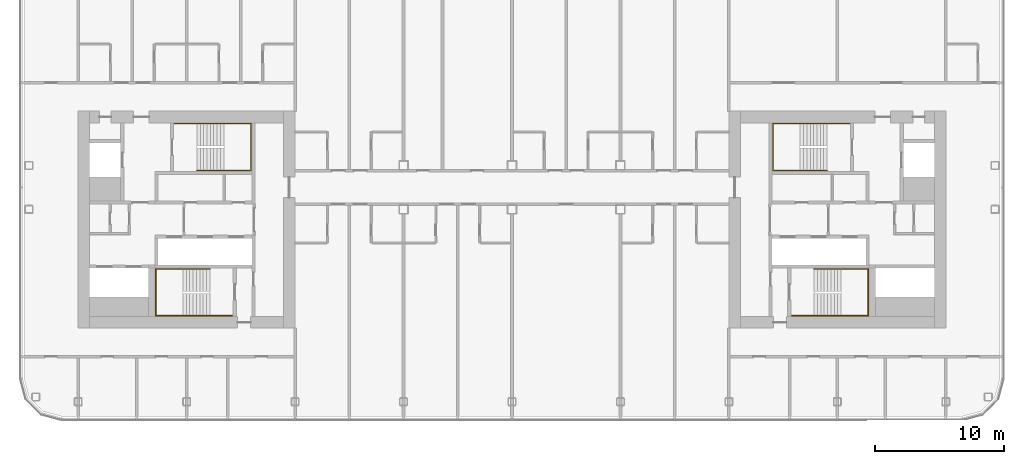
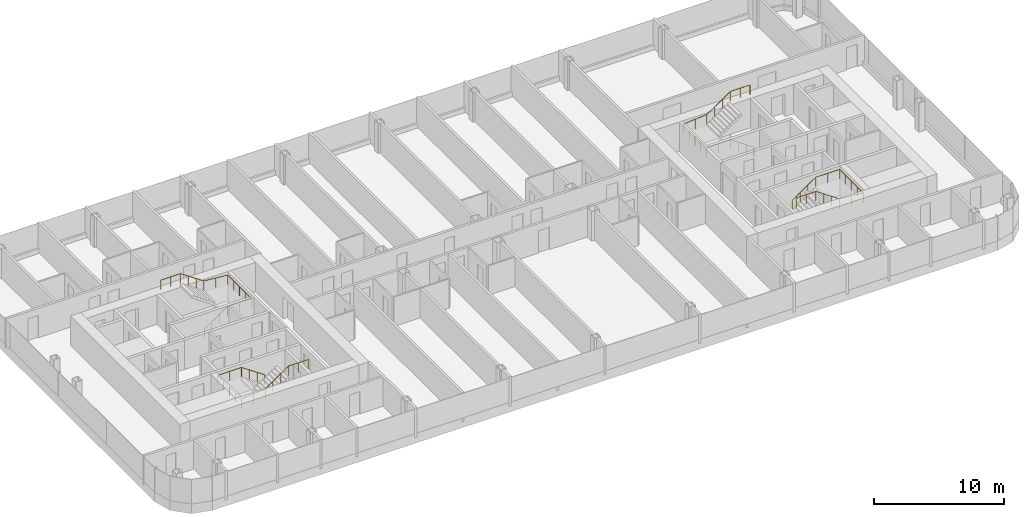
# One storey, part 26 of 26: 4 railings.
"""IFC4 building model written with IfcOpenShell, lengths in metres."""

from ifc_helpers import new_model, si_unit, direction, frame, origin, origin_2d, place, context, subcontext, project, spatial, circle, extrude, material, type_object, element, save


model = new_model("IFC4")

# Units and contexts
model_context = context("Model", 3, precision=1e-05, world=origin(), true_north=direction((0.0, 1.0)))
body_context = subcontext(model_context, "Body", "Model", "MODEL_VIEW")
ifc_project = project(units=[si_unit("LENGTHUNIT", "METRE"), si_unit("AREAUNIT", "SQUARE_METRE"), si_unit("VOLUMEUNIT", "CUBIC_METRE"), si_unit("PLANEANGLEUNIT", "RADIAN"), si_unit("MASSUNIT", "GRAM", prefix="KILO")], contexts=[model_context])

# Site, building, storey
site_placement = place(None, origin())
site = spatial("IfcSite", under=ifc_project, at=site_placement, CompositionType="ELEMENT")
building_placement = place(site_placement, origin())
building = spatial("IfcBuilding", under=site, at=building_placement, Name="Hakoniwa Tower and Hamabe Station Hall", CompositionType="ELEMENT")
storey_placement = place(building_placement, frame((0.0, 0.0, 221.800048828125)))
storey = spatial("IfcBuildingStorey", under=building, at=storey_placement, Name="L63", CompositionType="ELEMENT", Elevation=221.800048828125)

# Railings
ifc_material = material(Name="Stainless steel SUS304", Category="steel")
railing_type = type_object("IfcRailingType", Name="STAIR HANDRAIL 900", PredefinedType="HANDRAIL", material=ifc_material)
railing_1_placement = place(storey_placement, frame((-24.39990234375, 3.81005859375, 0.177734375)))
element("IfcRailing", 1, at=railing_1_placement, inside=storey, type_object=railing_type, Name="Handrail ST-1 L63 1", PredefinedType="HANDRAIL", context=body_context, shape_type="SweptSolid", body=[
    extrude(circle(Radius=0.02392578125, at=origin_2d()), frame((0.0, 0.0, 0.8759765625), z_axis=(0.825478349766, 0.0, 0.564433781827), x_axis=(0.0, 1.0, 0.0)), (0.0, 0.0, 1.0), 2.51953125),
    extrude(circle(Radius=0.02392578125, at=origin_2d()), frame((2.079833984375, 0.0, 2.2978515625), z_axis=(1.0, 0.0, 0.0), x_axis=(0.0, 1.0, 0.0)), (0.0, 0.0, 1.0), 2.110107421875),
    extrude(circle(Radius=0.02392578125, at=origin_2d()), frame((4.18994140625, 0.0, 2.2978515625), z_axis=(0.0, 1.0, 0.0), x_axis=(-1.0, 0.0, 0.0)), (0.0, 0.0, 1.0), 3.6298828125),
    extrude(circle(Radius=0.02392578125, at=origin_2d()), frame((4.18994140625, 3.6298828125, 2.2978515625), z_axis=(-0.996461767938, 0.0, 0.084047278587), x_axis=(0.0, -1.0, 0.0)), (0.0, 0.0, 1.0), 2.11767578125),
    extrude(circle(Radius=0.02392578125, at=origin_2d()), frame((2.079833984375, 3.6298828125, 2.47607421875), z_axis=(-0.825478349766, 0.0, 0.564433781827), x_axis=(0.0, -1.0, 0.0)), (0.0, 0.0, 1.0), 2.51953125),
    extrude(circle(Radius=0.02392578125, at=origin_2d()), frame((0.0, 3.6298828125, 3.89794921875), z_axis=(-1.0, 0.0, 0.0), x_axis=(0.0, -1.0, 0.0)), (0.0, 0.0, 1.0), 1.739990234375),
    extrude(circle(Radius=0.02099609375, at=origin_2d()), origin(), (0.0, 0.0, 1.0), 0.851806640625),
    extrude(circle(Radius=0.02099609375, at=origin_2d()), frame((0.693359375, 0.0, 0.47412109375)), (0.0, 0.0, 1.0), 0.851806640625),
    extrude(circle(Radius=0.02099609375, at=origin_2d()), frame((1.386474609375, 0.0, 0.947998046875)), (0.0, 0.0, 1.0), 0.851806640625),
    extrude(circle(Radius=0.02099609375, at=origin_2d()), frame((2.079833984375, 0.0, 1.422119140625)), (0.0, 0.0, 1.0), 0.851806640625),
    extrude(circle(Radius=0.02099609375, at=origin_2d()), frame((3.134765625, 0.0, 1.422119140625)), (0.0, 0.0, 1.0), 0.851806640625),
    extrude(circle(Radius=0.02099609375, at=origin_2d()), frame((4.18994140625, 0.0, 1.422119140625)), (0.0, 0.0, 1.0), 0.851806640625),
    extrude(circle(Radius=0.02099609375, at=origin_2d()), frame((4.18994140625, 0.907470703125, 1.422119140625)), (0.0, 0.0, 1.0), 0.851806640625),
    extrude(circle(Radius=0.02099609375, at=origin_2d()), frame((4.18994140625, 1.81494140625, 1.422119140625)), (0.0, 0.0, 1.0), 0.851806640625),
    extrude(circle(Radius=0.02099609375, at=origin_2d()), frame((4.18994140625, 2.722412109375, 1.422119140625)), (0.0, 0.0, 1.0), 0.851806640625),
    extrude(circle(Radius=0.02099609375, at=origin_2d()), frame((4.18994140625, 3.6298828125, 1.422119140625)), (0.0, 0.0, 1.0), 0.851806640625),
    extrude(circle(Radius=0.02099609375, at=origin_2d()), frame((3.134765625, 3.6298828125, 1.51123046875)), (0.0, 0.0, 1.0), 0.851806640625),
    extrude(circle(Radius=0.02099609375, at=origin_2d()), frame((2.079833984375, 3.6298828125, 1.60009765625)), (0.0, 0.0, 1.0), 0.851806640625),
    extrude(circle(Radius=0.02099609375, at=origin_2d()), frame((1.386474609375, 3.6298828125, 2.07421875)), (0.0, 0.0, 1.0), 0.851806640625),
    extrude(circle(Radius=0.02099609375, at=origin_2d()), frame((0.693359375, 3.6298828125, 2.548095703125)), (0.0, 0.0, 1.0), 0.851806640625),
    extrude(circle(Radius=0.02099609375, at=origin_2d()), frame((0.0, 3.6298828125, 3.022216796875)), (0.0, 0.0, 1.0), 0.851806640625),
    extrude(circle(Radius=0.02099609375, at=origin_2d()), frame((-0.8701171875, 3.6298828125, 3.022216796875)), (0.0, 0.0, 1.0), 0.851806640625),
    extrude(circle(Radius=0.02099609375, at=origin_2d()), frame((-1.739990234375, 3.6298828125, 3.022216796875)), (0.0, 0.0, 1.0), 0.851806640625),
])
railing_2_placement = place(storey_placement, frame((-23.39990234375, -3.81005859375, 0.177734375)))
element("IfcRailing", 2, at=railing_2_placement, inside=storey, type_object=railing_type, Name="Handrail ST-2 L63 1", PredefinedType="HANDRAIL", context=body_context, shape_type="SweptSolid", body=[
    extrude(circle(Radius=0.02392578125, at=origin_2d()), frame((0.0, 0.0, 0.8759765625), z_axis=(-0.82550921652, 0.0, 0.564388636881), x_axis=(0.0, -1.0, 0.0)), (0.0, 0.0, 1.0), 2.519775390625),
    extrude(circle(Radius=0.02392578125, at=origin_2d()), frame((-2.080078125, 0.0, 2.2978515625), z_axis=(-1.0, 0.0, 0.0), x_axis=(0.0, -1.0, 0.0)), (0.0, 0.0, 1.0), 2.110107421875),
    extrude(circle(Radius=0.02392578125, at=origin_2d()), frame((-4.190185546875, 0.0, 2.2978515625), z_axis=(0.0, -1.0, 0.0), x_axis=(1.0, 0.0, 0.0)), (0.0, 0.0, 1.0), 3.6298828125),
    extrude(circle(Radius=0.02392578125, at=origin_2d()), frame((-4.190185546875, -3.6298828125, 2.2978515625), z_axis=(0.996461767938, 0.0, 0.084047278587), x_axis=(0.0, 1.0, 0.0)), (0.0, 0.0, 1.0), 2.11767578125),
    extrude(circle(Radius=0.02392578125, at=origin_2d()), frame((-2.080078125, -3.6298828125, 2.47607421875), z_axis=(0.82550921652, 0.0, 0.564388636881), x_axis=(0.0, 1.0, 0.0)), (0.0, 0.0, 1.0), 2.519775390625),
    extrude(circle(Radius=0.02392578125, at=origin_2d()), frame((0.0, -3.6298828125, 3.89794921875), z_axis=(1.0, 0.0, 0.0), x_axis=(0.0, 1.0, 0.0)), (0.0, 0.0, 1.0), 1.739990234375),
    extrude(circle(Radius=0.02099609375, at=origin_2d()), origin(), (0.0, 0.0, 1.0), 0.851806640625),
    extrude(circle(Radius=0.02099609375, at=origin_2d()), frame((-0.693359375, 0.0, 0.47412109375)), (0.0, 0.0, 1.0), 0.851806640625),
    extrude(circle(Radius=0.02099609375, at=origin_2d()), frame((-1.38671875, 0.0, 0.947998046875)), (0.0, 0.0, 1.0), 0.851806640625),
    extrude(circle(Radius=0.02099609375, at=origin_2d()), frame((-2.080078125, 0.0, 1.422119140625)), (0.0, 0.0, 1.0), 0.851806640625),
    extrude(circle(Radius=0.02099609375, at=origin_2d()), frame((-3.13525390625, 0.0, 1.422119140625)), (0.0, 0.0, 1.0), 0.851806640625),
    extrude(circle(Radius=0.02099609375, at=origin_2d()), frame((-4.190185546875, 0.0, 1.422119140625)), (0.0, 0.0, 1.0), 0.851806640625),
    extrude(circle(Radius=0.02099609375, at=origin_2d()), frame((-4.190185546875, -0.907470703125, 1.422119140625)), (0.0, 0.0, 1.0), 0.851806640625),
    extrude(circle(Radius=0.02099609375, at=origin_2d()), frame((-4.190185546875, -1.81494140625, 1.422119140625)), (0.0, 0.0, 1.0), 0.851806640625),
    extrude(circle(Radius=0.02099609375, at=origin_2d()), frame((-4.190185546875, -2.722412109375, 1.422119140625)), (0.0, 0.0, 1.0), 0.851806640625),
    extrude(circle(Radius=0.02099609375, at=origin_2d()), frame((-4.190185546875, -3.6298828125, 1.422119140625)), (0.0, 0.0, 1.0), 0.851806640625),
    extrude(circle(Radius=0.02099609375, at=origin_2d()), frame((-3.13525390625, -3.6298828125, 1.51123046875)), (0.0, 0.0, 1.0), 0.851806640625),
    extrude(circle(Radius=0.02099609375, at=origin_2d()), frame((-2.080078125, -3.6298828125, 1.60009765625)), (0.0, 0.0, 1.0), 0.851806640625),
    extrude(circle(Radius=0.02099609375, at=origin_2d()), frame((-1.38671875, -3.6298828125, 2.07421875)), (0.0, 0.0, 1.0), 0.851806640625),
    extrude(circle(Radius=0.02099609375, at=origin_2d()), frame((-0.693359375, -3.6298828125, 2.548095703125)), (0.0, 0.0, 1.0), 0.851806640625),
    extrude(circle(Radius=0.02099609375, at=origin_2d()), frame((0.0, -3.6298828125, 3.022216796875)), (0.0, 0.0, 1.0), 0.851806640625),
    extrude(circle(Radius=0.02099609375, at=origin_2d()), frame((0.8701171875, -3.6298828125, 3.022216796875)), (0.0, 0.0, 1.0), 0.851806640625),
    extrude(circle(Radius=0.02099609375, at=origin_2d()), frame((1.739990234375, -3.6298828125, 3.022216796875)), (0.0, 0.0, 1.0), 0.851806640625),
])
railing_3_placement = place(storey_placement, frame((24.39990234375, 3.81005859375, 0.177734375)))
element("IfcRailing", 3, at=railing_3_placement, inside=storey, type_object=railing_type, Name="Handrail ST-3 L63 1", PredefinedType="HANDRAIL", context=body_context, shape_type="SweptSolid", body=[
    extrude(circle(Radius=0.02392578125, at=origin_2d()), frame((0.0, 0.0, 0.8759765625), z_axis=(-0.825478349766, 0.0, 0.564433781827), x_axis=(0.0, -1.0, 0.0)), (0.0, 0.0, 1.0), 2.51953125),
    extrude(circle(Radius=0.02392578125, at=origin_2d()), frame((-2.079833984375, 0.0, 2.2978515625), z_axis=(-1.0, 0.0, 0.0), x_axis=(0.0, -1.0, 0.0)), (0.0, 0.0, 1.0), 2.110107421875),
    extrude(circle(Radius=0.02392578125, at=origin_2d()), frame((-4.18994140625, 0.0, 2.2978515625), z_axis=(0.0, 1.0, 0.0), x_axis=(-1.0, 0.0, 0.0)), (0.0, 0.0, 1.0), 3.6298828125),
    extrude(circle(Radius=0.02392578125, at=origin_2d()), frame((-4.18994140625, 3.6298828125, 2.2978515625), z_axis=(0.996461767938, 0.0, 0.084047278587), x_axis=(0.0, 1.0, 0.0)), (0.0, 0.0, 1.0), 2.11767578125),
    extrude(circle(Radius=0.02392578125, at=origin_2d()), frame((-2.079833984375, 3.6298828125, 2.47607421875), z_axis=(0.825478349766, 0.0, 0.564433781827), x_axis=(0.0, 1.0, 0.0)), (0.0, 0.0, 1.0), 2.51953125),
    extrude(circle(Radius=0.02392578125, at=origin_2d()), frame((0.0, 3.6298828125, 3.89794921875), z_axis=(1.0, 0.0, 0.0), x_axis=(0.0, 1.0, 0.0)), (0.0, 0.0, 1.0), 1.739990234375),
    extrude(circle(Radius=0.02099609375, at=origin_2d()), origin(), (0.0, 0.0, 1.0), 0.851806640625),
    extrude(circle(Radius=0.02099609375, at=origin_2d()), frame((-0.693359375, 0.0, 0.47412109375)), (0.0, 0.0, 1.0), 0.851806640625),
    extrude(circle(Radius=0.02099609375, at=origin_2d()), frame((-1.386474609375, 0.0, 0.947998046875)), (0.0, 0.0, 1.0), 0.851806640625),
    extrude(circle(Radius=0.02099609375, at=origin_2d()), frame((-2.079833984375, 0.0, 1.422119140625)), (0.0, 0.0, 1.0), 0.851806640625),
    extrude(circle(Radius=0.02099609375, at=origin_2d()), frame((-3.134765625, 0.0, 1.422119140625)), (0.0, 0.0, 1.0), 0.851806640625),
    extrude(circle(Radius=0.02099609375, at=origin_2d()), frame((-4.18994140625, 0.0, 1.422119140625)), (0.0, 0.0, 1.0), 0.851806640625),
    extrude(circle(Radius=0.02099609375, at=origin_2d()), frame((-4.18994140625, 0.907470703125, 1.422119140625)), (0.0, 0.0, 1.0), 0.851806640625),
    extrude(circle(Radius=0.02099609375, at=origin_2d()), frame((-4.18994140625, 1.81494140625, 1.422119140625)), (0.0, 0.0, 1.0), 0.851806640625),
    extrude(circle(Radius=0.02099609375, at=origin_2d()), frame((-4.18994140625, 2.722412109375, 1.422119140625)), (0.0, 0.0, 1.0), 0.851806640625),
    extrude(circle(Radius=0.02099609375, at=origin_2d()), frame((-4.18994140625, 3.6298828125, 1.422119140625)), (0.0, 0.0, 1.0), 0.851806640625),
    extrude(circle(Radius=0.02099609375, at=origin_2d()), frame((-3.134765625, 3.6298828125, 1.51123046875)), (0.0, 0.0, 1.0), 0.851806640625),
    extrude(circle(Radius=0.02099609375, at=origin_2d()), frame((-2.079833984375, 3.6298828125, 1.60009765625)), (0.0, 0.0, 1.0), 0.851806640625),
    extrude(circle(Radius=0.02099609375, at=origin_2d()), frame((-1.386474609375, 3.6298828125, 2.07421875)), (0.0, 0.0, 1.0), 0.851806640625),
    extrude(circle(Radius=0.02099609375, at=origin_2d()), frame((-0.693359375, 3.6298828125, 2.548095703125)), (0.0, 0.0, 1.0), 0.851806640625),
    extrude(circle(Radius=0.02099609375, at=origin_2d()), frame((0.0, 3.6298828125, 3.022216796875)), (0.0, 0.0, 1.0), 0.851806640625),
    extrude(circle(Radius=0.02099609375, at=origin_2d()), frame((0.8701171875, 3.6298828125, 3.022216796875)), (0.0, 0.0, 1.0), 0.851806640625),
    extrude(circle(Radius=0.02099609375, at=origin_2d()), frame((1.739990234375, 3.6298828125, 3.022216796875)), (0.0, 0.0, 1.0), 0.851806640625),
])
railing_4_placement = place(storey_placement, frame((23.39990234375, -3.81005859375, 0.177734375)))
element("IfcRailing", 4, at=railing_4_placement, inside=storey, type_object=railing_type, Name="Handrail ST-4 L63 1", PredefinedType="HANDRAIL", context=body_context, shape_type="SweptSolid", body=[
    extrude(circle(Radius=0.02392578125, at=origin_2d()), frame((0.0, 0.0, 0.8759765625), z_axis=(0.82550921652, 0.0, 0.564388636881), x_axis=(0.0, 1.0, 0.0)), (0.0, 0.0, 1.0), 2.519775390625),
    extrude(circle(Radius=0.02392578125, at=origin_2d()), frame((2.080078125, 0.0, 2.2978515625), z_axis=(1.0, 0.0, 0.0), x_axis=(0.0, 1.0, 0.0)), (0.0, 0.0, 1.0), 2.110107421875),
    extrude(circle(Radius=0.02392578125, at=origin_2d()), frame((4.190185546875, 0.0, 2.2978515625), z_axis=(0.0, -1.0, 0.0), x_axis=(1.0, 0.0, 0.0)), (0.0, 0.0, 1.0), 3.6298828125),
    extrude(circle(Radius=0.02392578125, at=origin_2d()), frame((4.190185546875, -3.6298828125, 2.2978515625), z_axis=(-0.996461767938, 0.0, 0.084047278587), x_axis=(0.0, -1.0, 0.0)), (0.0, 0.0, 1.0), 2.11767578125),
    extrude(circle(Radius=0.02392578125, at=origin_2d()), frame((2.080078125, -3.6298828125, 2.47607421875), z_axis=(-0.82550921652, 0.0, 0.564388636881), x_axis=(0.0, -1.0, 0.0)), (0.0, 0.0, 1.0), 2.519775390625),
    extrude(circle(Radius=0.02392578125, at=origin_2d()), frame((0.0, -3.6298828125, 3.89794921875), z_axis=(-1.0, 0.0, 0.0), x_axis=(0.0, -1.0, 0.0)), (0.0, 0.0, 1.0), 1.739990234375),
    extrude(circle(Radius=0.02099609375, at=origin_2d()), origin(), (0.0, 0.0, 1.0), 0.851806640625),
    extrude(circle(Radius=0.02099609375, at=origin_2d()), frame((0.693359375, 0.0, 0.47412109375)), (0.0, 0.0, 1.0), 0.851806640625),
    extrude(circle(Radius=0.02099609375, at=origin_2d()), frame((1.38671875, 0.0, 0.947998046875)), (0.0, 0.0, 1.0), 0.851806640625),
    extrude(circle(Radius=0.02099609375, at=origin_2d()), frame((2.080078125, 0.0, 1.422119140625)), (0.0, 0.0, 1.0), 0.851806640625),
    extrude(circle(Radius=0.02099609375, at=origin_2d()), frame((3.13525390625, 0.0, 1.422119140625)), (0.0, 0.0, 1.0), 0.851806640625),
    extrude(circle(Radius=0.02099609375, at=origin_2d()), frame((4.190185546875, 0.0, 1.422119140625)), (0.0, 0.0, 1.0), 0.851806640625),
    extrude(circle(Radius=0.02099609375, at=origin_2d()), frame((4.190185546875, -0.907470703125, 1.422119140625)), (0.0, 0.0, 1.0), 0.851806640625),
    extrude(circle(Radius=0.02099609375, at=origin_2d()), frame((4.190185546875, -1.81494140625, 1.422119140625)), (0.0, 0.0, 1.0), 0.851806640625),
    extrude(circle(Radius=0.02099609375, at=origin_2d()), frame((4.190185546875, -2.722412109375, 1.422119140625)), (0.0, 0.0, 1.0), 0.851806640625),
    extrude(circle(Radius=0.02099609375, at=origin_2d()), frame((4.190185546875, -3.6298828125, 1.422119140625)), (0.0, 0.0, 1.0), 0.851806640625),
    extrude(circle(Radius=0.02099609375, at=origin_2d()), frame((3.13525390625, -3.6298828125, 1.51123046875)), (0.0, 0.0, 1.0), 0.851806640625),
    extrude(circle(Radius=0.02099609375, at=origin_2d()), frame((2.080078125, -3.6298828125, 1.60009765625)), (0.0, 0.0, 1.0), 0.851806640625),
    extrude(circle(Radius=0.02099609375, at=origin_2d()), frame((1.38671875, -3.6298828125, 2.07421875)), (0.0, 0.0, 1.0), 0.851806640625),
    extrude(circle(Radius=0.02099609375, at=origin_2d()), frame((0.693359375, -3.6298828125, 2.548095703125)), (0.0, 0.0, 1.0), 0.851806640625),
    extrude(circle(Radius=0.02099609375, at=origin_2d()), frame((0.0, -3.6298828125, 3.022216796875)), (0.0, 0.0, 1.0), 0.851806640625),
    extrude(circle(Radius=0.02099609375, at=origin_2d()), frame((-0.8701171875, -3.6298828125, 3.022216796875)), (0.0, 0.0, 1.0), 0.851806640625),
    extrude(circle(Radius=0.02099609375, at=origin_2d()), frame((-1.739990234375, -3.6298828125, 3.022216796875)), (0.0, 0.0, 1.0), 0.851806640625),
])

save(model, "model.ifc")
